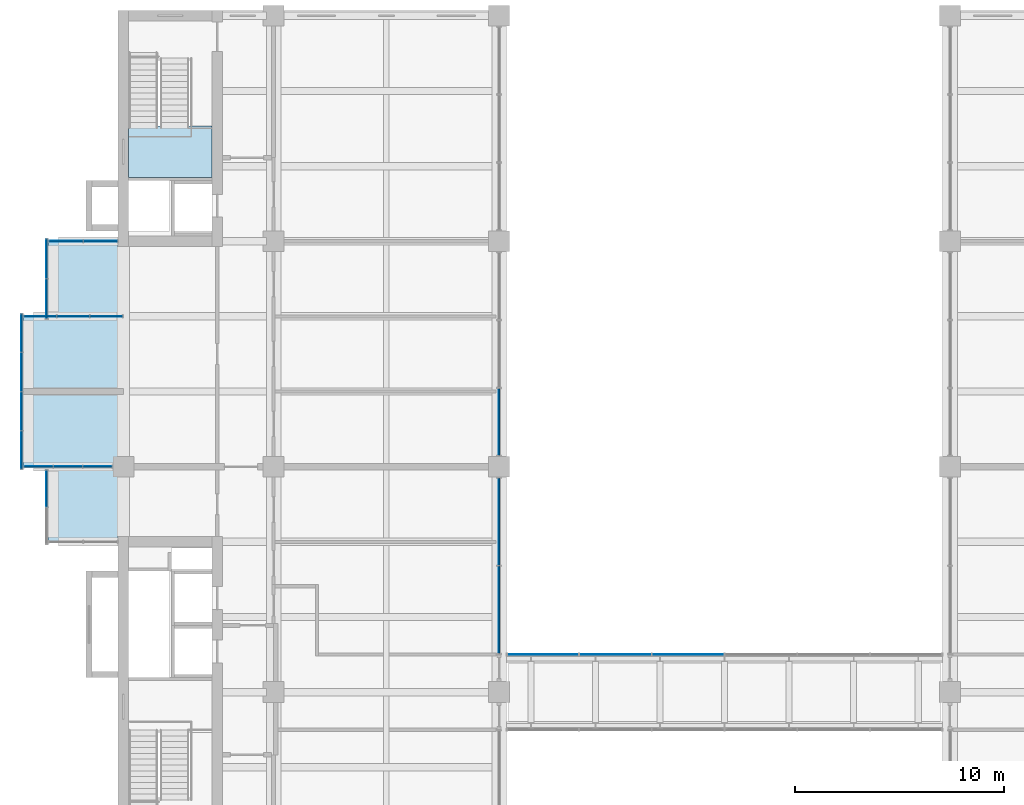
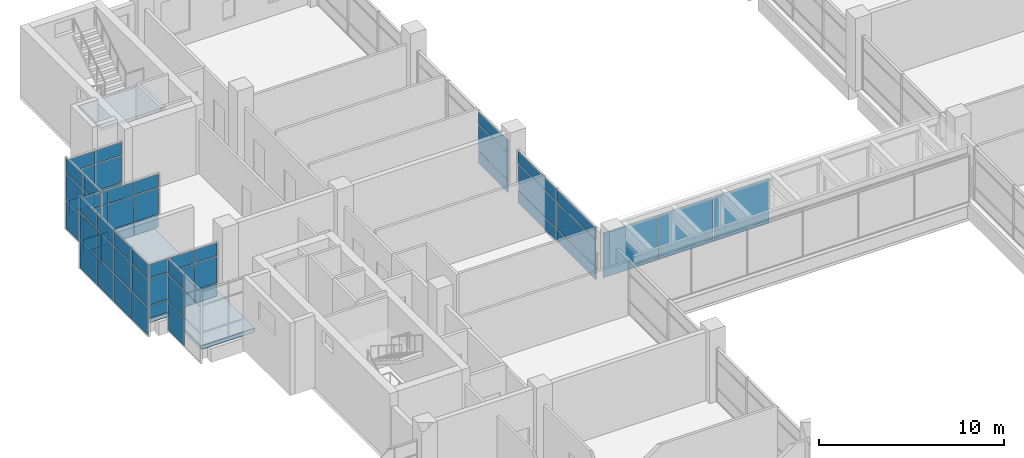
# One storey, part 22 of 35: 57 plates, 2 slabs, 10 elements without a shape of their own.
"""IFC4 building model written with IfcOpenShell, lengths in metres."""

from ifc_helpers import new_model, si_unit, direction, frame, origin, origin_2d, place, context, subcontext, project, spatial, polyline, rectangle, outline, extrude, material, layer, layer_set, type_object, element, aggregate, save


model = new_model("IFC4")

# Units and contexts
model_context = context("Model", 3, precision=1e-05, world=origin(), true_north=direction((0.0, 1.0)))
body_context = subcontext(model_context, "Body", "Model", "MODEL_VIEW")
ifc_project = project(units=[si_unit("LENGTHUNIT", "METRE"), si_unit("AREAUNIT", "SQUARE_METRE"), si_unit("VOLUMEUNIT", "CUBIC_METRE"), si_unit("PLANEANGLEUNIT", "RADIAN"), si_unit("MASSUNIT", "GRAM", prefix="KILO")], contexts=[model_context])

# Site, building, storey
site_placement = place(None, origin())
site = spatial("IfcSite", under=ifc_project, at=site_placement, CompositionType="ELEMENT")
building_placement = place(site_placement, origin())
building = spatial("IfcBuilding", under=site, at=building_placement, Name="Basin Gate Institute", CompositionType="ELEMENT")
storey_placement = place(building_placement, frame((0.0, 0.0, 31.800048828125)))
storey = spatial("IfcBuildingStorey", under=building, at=storey_placement, Name="L06", CompositionType="ELEMENT", Elevation=31.800048828125)

# Curtain wall, plates
ifc_material_1 = material(Name="Aluminium and glass curtain wall", Category="aluminium")
ifc_layer_1 = layer(ifc_material_1, 0.14990234375)
ifc_layer_set_1 = layer_set([ifc_layer_1], Name="Atrium curtain wall CW81")
curtain_wall_type_1 = type_object("IfcCurtainWallType", Name="Atrium curtain wall CW81", PredefinedType="NOTDEFINED", material=ifc_layer_set_1)
curtain_wall_1_placement = place(storey_placement, origin())
curtain_wall_1 = element("IfcCurtainWall", 1, at=curtain_wall_1_placement, inside=storey, type_object=curtain_wall_type_1, material=ifc_layer_set_1, Name="Bridge glazed enclosure L06 2", PredefinedType="NOTDEFINED")
ifc_material_2 = material(Name="Toughened glass", Category="glass")
ifc_layer_2 = layer(ifc_material_2, 0.028076171875)
ifc_layer_set_2 = layer_set([ifc_layer_2], Name="Atrium glass panel PN81")
plate_type_1 = type_object("IfcPlateType", Name="Atrium glass panel PN81", PredefinedType="CURTAIN_PANEL", material=ifc_layer_set_2)
plate_1_placement = place(storey_placement, frame((81.306640625, 69.300048828125, 0.06005859375), z_axis=(0.0, 0.0, 1.0), x_axis=(1.0, 0.0, 0.0)))
plate_1 = element("IfcPlate", 2, at=plate_1_placement, type_object=plate_type_1, material=ifc_layer_set_2, Name="CW81 panel 1.1", PredefinedType="CURTAIN_PANEL", context=body_context, shape_type="SweptSolid", body=[
    extrude(rectangle(XDim=3.393310546875, YDim=0.028076171875, at=origin_2d()), origin(), (0.0, 0.0, 1.0), 2.97998046875),
])
plate_2_placement = place(storey_placement, frame((84.77490234375, 69.300048828125, 0.06005859375), z_axis=(0.0, 0.0, 1.0), x_axis=(1.0, 0.0, 0.0)))
plate_2 = element("IfcPlate", 3, at=plate_2_placement, type_object=plate_type_1, material=ifc_layer_set_2, Name="CW81 panel 2.1", PredefinedType="CURTAIN_PANEL", context=body_context, shape_type="SweptSolid", body=[
    extrude(rectangle(XDim=3.42333984375, YDim=0.028076171875, at=origin_2d()), origin(), (0.0, 0.0, 1.0), 2.97998046875),
])
plate_3_placement = place(storey_placement, frame((88.25830078125, 69.300048828125, 0.06005859375), z_axis=(0.0, 0.0, 1.0), x_axis=(1.0, 0.0, 0.0)))
plate_3 = element("IfcPlate", 4, at=plate_3_placement, type_object=plate_type_1, material=ifc_layer_set_2, Name="CW81 panel 3.1", PredefinedType="CURTAIN_PANEL", context=body_context, shape_type="SweptSolid", body=[
    extrude(rectangle(XDim=3.42333984375, YDim=0.028076171875, at=origin_2d()), origin(), (0.0, 0.0, 1.0), 2.97998046875),
])
aggregate(curtain_wall_1, [plate_1, plate_2, plate_3])

# Slab
ifc_material_3 = material(Name="Concrete 40 MPa", Category="concrete")
ifc_layer_3 = layer(ifc_material_3, 0.25)
ifc_layer_set_3 = layer_set([ifc_layer_3], Name="Concrete 40 MPa")
slab_type_1 = type_object("IfcSlabType", Name="Slab SL4 R120", PredefinedType="FLOOR", material=ifc_layer_set_3)
slab_1_placement = place(storey_placement, frame((0.0, 0.0, -0.25)))
element("IfcSlab", 5, at=slab_1_placement, inside=storey, type_object=slab_type_1, material=ifc_layer_set_3, Name="SLAB/L06/WK21", PredefinedType="FLOOR", context=body_context, shape_type="SweptSolid", body=[
    extrude(outline(polyline([(57.60009765625, 74.699951171875), (57.60009765625, 78.300048828125), (56.39990234375, 78.300048828125), (56.39990234375, 85.5), (57.60009765625, 85.5), (57.60009765625, 89.10009765625), (60.949951171875, 89.10009765625), (60.949951171875, 74.699951171875), (57.60009765625, 74.699951171875)])), origin(), (0.0, 0.0, 1.0), 0.25),
])

# Curtain wall, plates
ifc_material_4 = material(Name="Aluminium-framed glazing", Category="aluminium")
ifc_layer_4 = layer(ifc_material_4, 0.199951171875)
ifc_layer_set_4 = layer_set([ifc_layer_4], Name="Atrium curtain wall CW2")
curtain_wall_type_2 = type_object("IfcCurtainWallType", Name="Atrium curtain wall CW2", PredefinedType="NOTDEFINED", material=ifc_layer_set_4)
curtain_wall_2_placement = place(storey_placement, origin())
curtain_wall_2 = element("IfcCurtainWall", 6, at=curtain_wall_2_placement, inside=storey, type_object=curtain_wall_type_2, material=ifc_layer_set_4, Name="Atrium curtain wall W wing atrium bay 4 L06 part 1", PredefinedType="NOTDEFINED")
ifc_material_5 = material(Name="Aluminium insulated spandrel panel", Category="aluminium")
ifc_layer_5 = layer(ifc_material_5, 0.050048828125)
ifc_layer_set_5 = layer_set([ifc_layer_5], Name="Spandrel panel PN2")
plate_type_2 = type_object("IfcPlateType", Name="Spandrel panel PN2", PredefinedType="CURTAIN_PANEL", material=ifc_layer_set_5)
plate_4_placement = place(storey_placement, frame((79.199951171875, 71.43994140625, 0.059814453125), z_axis=(0.0, 0.0, 1.0), x_axis=(0.0, 1.0, 0.0)))
plate_4 = element("IfcPlate", 7, at=plate_4_placement, type_object=plate_type_2, material=ifc_layer_set_5, Name="CW2 spandrel panel 1.1", PredefinedType="CURTAIN_PANEL", context=body_context, shape_type="SweptSolid", body=[
    extrude(rectangle(XDim=4.159912109375, YDim=0.050048828125, at=origin_2d()), origin(), (0.0, 0.0, 1.0), 0.81005859375),
])
plate_5_placement = place(storey_placement, frame((79.199951171875, 71.43994140625, 2.72998046875), z_axis=(0.0, 0.0, 1.0), x_axis=(0.0, 1.0, 0.0)))
plate_5 = element("IfcPlate", 8, at=plate_5_placement, type_object=plate_type_2, material=ifc_layer_set_5, Name="CW2 spandrel panel 1.3", PredefinedType="CURTAIN_PANEL", context=body_context, shape_type="SweptSolid", body=[
    extrude(rectangle(XDim=4.159912109375, YDim=0.050048828125, at=origin_2d()), origin(), (0.0, 0.0, 1.0), 0.760009765625),
])
plate_6_placement = place(storey_placement, frame((79.199951171875, 75.659912109375, 0.059814453125), z_axis=(0.0, 0.0, 1.0), x_axis=(0.0, 1.0, 0.0)))
plate_6 = element("IfcPlate", 9, at=plate_6_placement, type_object=plate_type_2, material=ifc_layer_set_5, Name="CW2 spandrel panel 2.1", PredefinedType="CURTAIN_PANEL", context=body_context, shape_type="SweptSolid", body=[
    extrude(rectangle(XDim=4.159912109375, YDim=0.050048828125, at=origin_2d()), origin(), (0.0, 0.0, 1.0), 0.81005859375),
])
plate_7_placement = place(storey_placement, frame((79.199951171875, 75.659912109375, 2.72998046875), z_axis=(0.0, 0.0, 1.0), x_axis=(0.0, 1.0, 0.0)))
plate_7 = element("IfcPlate", 10, at=plate_7_placement, type_object=plate_type_2, material=ifc_layer_set_5, Name="CW2 spandrel panel 2.3", PredefinedType="CURTAIN_PANEL", context=body_context, shape_type="SweptSolid", body=[
    extrude(rectangle(XDim=4.159912109375, YDim=0.050048828125, at=origin_2d()), origin(), (0.0, 0.0, 1.0), 0.760009765625),
])

curtain_wall_3_placement = place(storey_placement, origin())
curtain_wall_3 = element("IfcCurtainWall", 11, at=curtain_wall_3_placement, inside=storey, type_object=curtain_wall_type_2, material=ifc_layer_set_4, Name="Atrium curtain wall W wing atrium bay 5 L06", PredefinedType="NOTDEFINED")
plate_8_placement = place(storey_placement, frame((79.199951171875, 80.4482421875, 0.059814453125), z_axis=(0.0, 0.0, 1.0), x_axis=(0.0, 1.0, 0.0)))
plate_8 = element("IfcPlate", 12, at=plate_8_placement, type_object=plate_type_2, material=ifc_layer_set_5, Name="CW2 spandrel panel 1.1", PredefinedType="CURTAIN_PANEL", context=body_context, shape_type="SweptSolid", body=[
    extrude(rectangle(XDim=3.1767578125, YDim=0.050048828125, at=origin_2d()), origin(), (0.0, 0.0, 1.0), 0.81005859375),
])
plate_9_placement = place(storey_placement, frame((79.199951171875, 80.4482421875, 2.72998046875), z_axis=(0.0, 0.0, 1.0), x_axis=(0.0, 1.0, 0.0)))
plate_9 = element("IfcPlate", 13, at=plate_9_placement, type_object=plate_type_2, material=ifc_layer_set_5, Name="CW2 spandrel panel 1.3", PredefinedType="CURTAIN_PANEL", context=body_context, shape_type="SweptSolid", body=[
    extrude(rectangle(XDim=3.1767578125, YDim=0.050048828125, at=origin_2d()), origin(), (0.0, 0.0, 1.0), 0.760009765625),
])

ifc_material_6 = material(Name="Aluminium-framed glazing", Category="aluminium")
ifc_layer_6 = layer(ifc_material_6, 0.14990234375)
ifc_layer_set_6 = layer_set([ifc_layer_6], Name="Capsule front curtain wall CW1")
curtain_wall_type_3 = type_object("IfcCurtainWallType", Name="Capsule front curtain wall CW1", PredefinedType="NOTDEFINED", material=ifc_layer_set_6)
curtain_wall_4_placement = place(storey_placement, origin())
curtain_wall_4 = element("IfcCurtainWall", 14, at=curtain_wall_4_placement, inside=storey, type_object=curtain_wall_type_3, material=ifc_layer_set_6, Name="Capsule front curtain wall W wing capsule end L06 line 13", PredefinedType="NOTDEFINED")
plate_10_placement = place(storey_placement, frame((57.129150390625, 78.300048828125, 0.059814453125), z_axis=(0.0, 0.0, 1.0), x_axis=(1.0, 0.0, 0.0)))
plate_10 = element("IfcPlate", 15, at=plate_10_placement, type_object=plate_type_2, material=ifc_layer_set_5, Name="CW1 spandrel panel 1.1", PredefinedType="CURTAIN_PANEL", context=body_context, shape_type="SweptSolid", body=[
    extrude(rectangle(XDim=1.3583984375, YDim=0.050048828125, at=origin_2d()), origin(), (0.0, 0.0, 1.0), 0.81005859375),
])
plate_11_placement = place(storey_placement, frame((58.550048828125, 78.300048828125, 0.059814453125), z_axis=(0.0, 0.0, 1.0), x_axis=(1.0, 0.0, 0.0)))
plate_11 = element("IfcPlate", 16, at=plate_11_placement, type_object=plate_type_2, material=ifc_layer_set_5, Name="CW1 spandrel panel 2.1", PredefinedType="CURTAIN_PANEL", context=body_context, shape_type="SweptSolid", body=[
    extrude(rectangle(XDim=1.38330078125, YDim=0.050048828125, at=origin_2d()), origin(), (0.0, 0.0, 1.0), 0.81005859375),
])
plate_12_placement = place(storey_placement, frame((59.970947265625, 78.300048828125, 0.059814453125), z_axis=(0.0, 0.0, 1.0), x_axis=(1.0, 0.0, 0.0)))
plate_12 = element("IfcPlate", 17, at=plate_12_placement, type_object=plate_type_2, material=ifc_layer_set_5, Name="CW1 spandrel panel 3.1", PredefinedType="CURTAIN_PANEL", context=body_context, shape_type="SweptSolid", body=[
    extrude(rectangle(XDim=1.3583984375, YDim=0.050048828125, at=origin_2d()), origin(), (0.0, 0.0, 1.0), 0.81005859375),
])

curtain_wall_5_placement = place(storey_placement, origin())
curtain_wall_5 = element("IfcCurtainWall", 18, at=curtain_wall_5_placement, inside=storey, type_object=curtain_wall_type_3, material=ifc_layer_set_6, Name="Capsule front curtain wall W wing capsule end L06 line 15", PredefinedType="NOTDEFINED")
plate_13_placement = place(storey_placement, frame((57.21240234375, 85.5, 0.059814453125), z_axis=(0.0, 0.0, 1.0), x_axis=(1.0, 0.0, 0.0)))
plate_13 = element("IfcPlate", 19, at=plate_13_placement, type_object=plate_type_2, material=ifc_layer_set_5, Name="CW1 spandrel panel 1.1", PredefinedType="CURTAIN_PANEL", context=body_context, shape_type="SweptSolid", body=[
    extrude(rectangle(XDim=1.52490234375, YDim=0.050048828125, at=origin_2d()), origin(), (0.0, 0.0, 1.0), 0.81005859375),
])
plate_14_placement = place(storey_placement, frame((58.800048828125, 85.5, 0.059814453125), z_axis=(0.0, 0.0, 1.0), x_axis=(1.0, 0.0, 0.0)))
plate_14 = element("IfcPlate", 20, at=plate_14_placement, type_object=plate_type_2, material=ifc_layer_set_5, Name="CW1 spandrel panel 2.1", PredefinedType="CURTAIN_PANEL", context=body_context, shape_type="SweptSolid", body=[
    extrude(rectangle(XDim=1.550048828125, YDim=0.050048828125, at=origin_2d()), origin(), (0.0, 0.0, 1.0), 0.81005859375),
])
plate_15_placement = place(storey_placement, frame((60.387451171875, 85.5, 0.059814453125), z_axis=(0.0, 0.0, 1.0), x_axis=(1.0, 0.0, 0.0)))
plate_15 = element("IfcPlate", 21, at=plate_15_placement, type_object=plate_type_2, material=ifc_layer_set_5, Name="CW1 spandrel panel 3.1", PredefinedType="CURTAIN_PANEL", context=body_context, shape_type="SweptSolid", body=[
    extrude(rectangle(XDim=1.52490234375, YDim=0.050048828125, at=origin_2d()), origin(), (0.0, 0.0, 1.0), 0.81005859375),
])

curtain_wall_6_placement = place(storey_placement, origin())
curtain_wall_6 = element("IfcCurtainWall", 22, at=curtain_wall_6_placement, inside=storey, type_object=curtain_wall_type_3, material=ifc_layer_set_6, Name="Capsule front curtain wall W wing capsule end L06 line 16", PredefinedType="NOTDEFINED")
plate_16_placement = place(storey_placement, frame((58.449951171875, 89.10009765625, 0.059814453125), z_axis=(0.0, 0.0, 1.0), x_axis=(1.0, 0.0, 0.0)))
plate_16 = element("IfcPlate", 23, at=plate_16_placement, type_object=plate_type_2, material=ifc_layer_set_5, Name="CW1 spandrel panel 1.1", PredefinedType="CURTAIN_PANEL", context=body_context, shape_type="SweptSolid", body=[
    extrude(rectangle(XDim=1.60009765625, YDim=0.050048828125, at=origin_2d()), origin(), (0.0, 0.0, 1.0), 0.81005859375),
])
plate_17_placement = place(storey_placement, frame((60.10009765625, 89.10009765625, 0.059814453125), z_axis=(0.0, 0.0, 1.0), x_axis=(1.0, 0.0, 0.0)))
plate_17 = element("IfcPlate", 24, at=plate_17_placement, type_object=plate_type_2, material=ifc_layer_set_5, Name="CW1 spandrel panel 2.1", PredefinedType="CURTAIN_PANEL", context=body_context, shape_type="SweptSolid", body=[
    extrude(rectangle(XDim=1.60009765625, YDim=0.050048828125, at=origin_2d()), origin(), (0.0, 0.0, 1.0), 0.81005859375),
])

# Curtain wall, plate
curtain_wall_7_placement = place(storey_placement, origin())
curtain_wall_7 = element("IfcCurtainWall", 25, at=curtain_wall_7_placement, inside=storey, type_object=curtain_wall_type_3, material=ifc_layer_set_6, Name="Capsule front curtain wall W wing capsule 2 L06 front 1", PredefinedType="NOTDEFINED")
plate_18_placement = place(storey_placement, frame((57.52490234375, 77.237548828125, -0.990234375), z_axis=(0.0, 0.0, 1.0), x_axis=(0.0, 1.0, 0.0)))
plate_18 = element("IfcPlate", 26, at=plate_18_placement, type_object=plate_type_2, material=ifc_layer_set_5, Name="CW1 spandrel panel 2.1", PredefinedType="CURTAIN_PANEL", context=body_context, shape_type="SweptSolid", body=[
    extrude(rectangle(XDim=1.72509765625, YDim=0.050048828125, at=origin_2d()), origin(), (0.0, 0.0, 1.0), 1.860107421875),
])

# Curtain wall, plates
curtain_wall_8_placement = place(storey_placement, origin())
curtain_wall_8 = element("IfcCurtainWall", 27, at=curtain_wall_8_placement, inside=storey, type_object=curtain_wall_type_3, material=ifc_layer_set_6, Name="Capsule front curtain wall W wing capsule 2 L06 front 2", PredefinedType="NOTDEFINED")
plate_19_placement = place(storey_placement, frame((56.324951171875, 79.10009765625, -0.990234375), z_axis=(0.0, 0.0, 1.0), x_axis=(0.0, 1.0, 0.0)))
plate_19 = element("IfcPlate", 28, at=plate_19_placement, type_object=plate_type_2, material=ifc_layer_set_5, Name="CW1 spandrel panel 1.1", PredefinedType="CURTAIN_PANEL", context=body_context, shape_type="SweptSolid", body=[
    extrude(rectangle(XDim=1.800048828125, YDim=0.050048828125, at=origin_2d()), origin(), (0.0, 0.0, 1.0), 1.860107421875),
])
plate_20_placement = place(storey_placement, frame((56.324951171875, 80.96240234375, -0.990234375), z_axis=(0.0, 0.0, 1.0), x_axis=(0.0, 1.0, 0.0)))
plate_20 = element("IfcPlate", 29, at=plate_20_placement, type_object=plate_type_2, material=ifc_layer_set_5, Name="CW1 spandrel panel 2.1", PredefinedType="CURTAIN_PANEL", context=body_context, shape_type="SweptSolid", body=[
    extrude(rectangle(XDim=1.824951171875, YDim=0.050048828125, at=origin_2d()), origin(), (0.0, 0.0, 1.0), 1.860107421875),
])
plate_21_placement = place(storey_placement, frame((56.324951171875, 82.83740234375, -0.990234375), z_axis=(0.0, 0.0, 1.0), x_axis=(0.0, 1.0, 0.0)))
plate_21 = element("IfcPlate", 30, at=plate_21_placement, type_object=plate_type_2, material=ifc_layer_set_5, Name="CW1 spandrel panel 3.1", PredefinedType="CURTAIN_PANEL", context=body_context, shape_type="SweptSolid", body=[
    extrude(rectangle(XDim=1.824951171875, YDim=0.050048828125, at=origin_2d()), origin(), (0.0, 0.0, 1.0), 1.860107421875),
])
plate_22_placement = place(storey_placement, frame((56.324951171875, 84.699951171875, -0.990234375), z_axis=(0.0, 0.0, 1.0), x_axis=(0.0, 1.0, 0.0)))
plate_22 = element("IfcPlate", 31, at=plate_22_placement, type_object=plate_type_2, material=ifc_layer_set_5, Name="CW1 spandrel panel 4.1", PredefinedType="CURTAIN_PANEL", context=body_context, shape_type="SweptSolid", body=[
    extrude(rectangle(XDim=1.800048828125, YDim=0.050048828125, at=origin_2d()), origin(), (0.0, 0.0, 1.0), 1.860107421875),
])

curtain_wall_9_placement = place(storey_placement, origin())
curtain_wall_9 = element("IfcCurtainWall", 32, at=curtain_wall_9_placement, inside=storey, type_object=curtain_wall_type_3, material=ifc_layer_set_6, Name="Capsule front curtain wall W wing capsule 2 L06 front 4", PredefinedType="NOTDEFINED")
plate_23_placement = place(storey_placement, frame((57.52490234375, 86.33740234375, -0.990234375), z_axis=(0.0, 0.0, 1.0), x_axis=(0.0, 1.0, 0.0)))
plate_23 = element("IfcPlate", 33, at=plate_23_placement, type_object=plate_type_2, material=ifc_layer_set_5, Name="CW1 spandrel panel 1.1", PredefinedType="CURTAIN_PANEL", context=body_context, shape_type="SweptSolid", body=[
    extrude(rectangle(XDim=1.875, YDim=0.050048828125, at=origin_2d()), origin(), (0.0, 0.0, 1.0), 1.860107421875),
])
plate_24_placement = place(storey_placement, frame((57.52490234375, 88.262451171875, -0.990234375), z_axis=(0.0, 0.0, 1.0), x_axis=(0.0, 1.0, 0.0)))
plate_24 = element("IfcPlate", 34, at=plate_24_placement, type_object=plate_type_2, material=ifc_layer_set_5, Name="CW1 spandrel panel 2.1", PredefinedType="CURTAIN_PANEL", context=body_context, shape_type="SweptSolid", body=[
    extrude(rectangle(XDim=1.875, YDim=0.050048828125, at=origin_2d()), origin(), (0.0, 0.0, 1.0), 1.860107421875),
])

# Stair, slab
ifc_material_7 = material(Name="Concrete 40 MPa", Category="concrete")
stair_type = type_object("IfcStairType", Name="Stair ST", PredefinedType="HALF_TURN_STAIR", material=ifc_material_7)
stair_placement = place(storey_placement, origin())
stair = element("IfcStair", 35, at=stair_placement, inside=storey, type_object=stair_type, material=ifc_material_7, Name="Special safe stair ST-WN L06", PredefinedType="HALF_TURN_STAIR")
ifc_material_8 = material(Name="Concrete 40 MPa", Category="concrete")
ifc_layer_7 = layer(ifc_material_8, 0.199951171875)
ifc_layer_set_7 = layer_set([ifc_layer_7], Name="Concrete 40 MPa")
slab_type_2 = type_object("IfcSlabType", Name="Stair landing LN REI 120", PredefinedType="LANDING", material=ifc_layer_set_7)
slab_2_placement = place(storey_placement, frame((0.0, 0.0, 2.288818359375)))
slab_2 = element("IfcSlab", 36, at=slab_2_placement, type_object=slab_type_2, material=ifc_layer_set_7, Name="Stair landing ST-WN-L1 L06", PredefinedType="LANDING", context=body_context, shape_type="SweptSolid", body=[
    extrude(outline(polyline([(61.449951171875, 92.14990234375), (65.449951171875, 92.14990234375), (65.449951171875, 94.6298828125), (61.449951171875, 94.6298828125), (61.449951171875, 92.14990234375)])), origin(), (0.0, 0.0, 1.0), 0.199951171875),
])
aggregate(stair, [slab_2])

# Plate
ifc_material_9 = material(Name="Double glazed unit")
ifc_layer_8 = layer(ifc_material_9, 0.028076171875)
ifc_layer_set_8 = layer_set([ifc_layer_8], Name="Vision panel PN1")
plate_type_3 = type_object("IfcPlateType", Name="Vision panel PN1", PredefinedType="CURTAIN_PANEL", material=ifc_layer_set_8)
plate_25_placement = place(storey_placement, frame((79.199951171875, 71.43994140625, 0.93017578125), z_axis=(0.0, 0.0, 1.0), x_axis=(0.0, 1.0, 0.0)))
plate_25 = element("IfcPlate", 37, at=plate_25_placement, type_object=plate_type_3, material=ifc_layer_set_8, Name="CW2 vision panel 1.2", PredefinedType="CURTAIN_PANEL", context=body_context, shape_type="SweptSolid", body=[
    extrude(rectangle(XDim=4.159912109375, YDim=0.028076171875, at=origin_2d()), origin(), (0.0, 0.0, 1.0), 1.739990234375),
])

plate_26_placement = place(storey_placement, frame((79.199951171875, 75.659912109375, 0.93017578125), z_axis=(0.0, 0.0, 1.0), x_axis=(0.0, 1.0, 0.0)))
plate_26 = element("IfcPlate", 38, at=plate_26_placement, type_object=plate_type_3, material=ifc_layer_set_8, Name="CW2 vision panel 2.2", PredefinedType="CURTAIN_PANEL", context=body_context, shape_type="SweptSolid", body=[
    extrude(rectangle(XDim=4.159912109375, YDim=0.028076171875, at=origin_2d()), origin(), (0.0, 0.0, 1.0), 1.739990234375),
])

aggregate(curtain_wall_2, [plate_4, plate_25, plate_5, plate_6, plate_26, plate_7])

plate_27_placement = place(storey_placement, frame((79.199951171875, 80.4482421875, 0.93017578125), z_axis=(0.0, 0.0, 1.0), x_axis=(0.0, 1.0, 0.0)))
plate_27 = element("IfcPlate", 39, at=plate_27_placement, type_object=plate_type_3, material=ifc_layer_set_8, Name="CW2 vision panel 1.2", PredefinedType="CURTAIN_PANEL", context=body_context, shape_type="SweptSolid", body=[
    extrude(rectangle(XDim=3.1767578125, YDim=0.028076171875, at=origin_2d()), origin(), (0.0, 0.0, 1.0), 1.739990234375),
])

aggregate(curtain_wall_3, [plate_8, plate_27, plate_9])

plate_28_placement = place(storey_placement, frame((57.129150390625, 78.300048828125, 0.93017578125), z_axis=(0.0, 0.0, 1.0), x_axis=(1.0, 0.0, 0.0)))
plate_28 = element("IfcPlate", 40, at=plate_28_placement, type_object=plate_type_3, material=ifc_layer_set_8, Name="CW1 vision panel 1.2", PredefinedType="CURTAIN_PANEL", context=body_context, shape_type="SweptSolid", body=[
    extrude(rectangle(XDim=1.3583984375, YDim=0.028076171875, at=origin_2d()), origin(), (0.0, 0.0, 1.0), 1.739990234375),
])

plate_29_placement = place(storey_placement, frame((57.129150390625, 78.300048828125, 2.72998046875), z_axis=(0.0, 0.0, 1.0), x_axis=(1.0, 0.0, 0.0)))
plate_29 = element("IfcPlate", 41, at=plate_29_placement, type_object=plate_type_3, material=ifc_layer_set_8, Name="CW1 vision panel 1.3", PredefinedType="CURTAIN_PANEL", context=body_context, shape_type="SweptSolid", body=[
    extrude(rectangle(XDim=1.3583984375, YDim=0.028076171875, at=origin_2d()), origin(), (0.0, 0.0, 1.0), 0.860107421875),
])

plate_30_placement = place(storey_placement, frame((58.550048828125, 78.300048828125, 0.93017578125), z_axis=(0.0, 0.0, 1.0), x_axis=(1.0, 0.0, 0.0)))
plate_30 = element("IfcPlate", 42, at=plate_30_placement, type_object=plate_type_3, material=ifc_layer_set_8, Name="CW1 vision panel 2.2", PredefinedType="CURTAIN_PANEL", context=body_context, shape_type="SweptSolid", body=[
    extrude(rectangle(XDim=1.38330078125, YDim=0.028076171875, at=origin_2d()), origin(), (0.0, 0.0, 1.0), 1.739990234375),
])

plate_31_placement = place(storey_placement, frame((58.550048828125, 78.300048828125, 2.72998046875), z_axis=(0.0, 0.0, 1.0), x_axis=(1.0, 0.0, 0.0)))
plate_31 = element("IfcPlate", 43, at=plate_31_placement, type_object=plate_type_3, material=ifc_layer_set_8, Name="CW1 vision panel 2.3", PredefinedType="CURTAIN_PANEL", context=body_context, shape_type="SweptSolid", body=[
    extrude(rectangle(XDim=1.38330078125, YDim=0.028076171875, at=origin_2d()), origin(), (0.0, 0.0, 1.0), 0.860107421875),
])

plate_32_placement = place(storey_placement, frame((59.970947265625, 78.300048828125, 0.93017578125), z_axis=(0.0, 0.0, 1.0), x_axis=(1.0, 0.0, 0.0)))
plate_32 = element("IfcPlate", 44, at=plate_32_placement, type_object=plate_type_3, material=ifc_layer_set_8, Name="CW1 vision panel 3.2", PredefinedType="CURTAIN_PANEL", context=body_context, shape_type="SweptSolid", body=[
    extrude(rectangle(XDim=1.3583984375, YDim=0.028076171875, at=origin_2d()), origin(), (0.0, 0.0, 1.0), 1.739990234375),
])

plate_33_placement = place(storey_placement, frame((59.970947265625, 78.300048828125, 2.72998046875), z_axis=(0.0, 0.0, 1.0), x_axis=(1.0, 0.0, 0.0)))
plate_33 = element("IfcPlate", 45, at=plate_33_placement, type_object=plate_type_3, material=ifc_layer_set_8, Name="CW1 vision panel 3.3", PredefinedType="CURTAIN_PANEL", context=body_context, shape_type="SweptSolid", body=[
    extrude(rectangle(XDim=1.3583984375, YDim=0.028076171875, at=origin_2d()), origin(), (0.0, 0.0, 1.0), 0.860107421875),
])

aggregate(curtain_wall_4, [plate_10, plate_28, plate_29, plate_11, plate_30, plate_31, plate_12, plate_32, plate_33])

plate_34_placement = place(storey_placement, frame((57.21240234375, 85.5, 0.93017578125), z_axis=(0.0, 0.0, 1.0), x_axis=(1.0, 0.0, 0.0)))
plate_34 = element("IfcPlate", 46, at=plate_34_placement, type_object=plate_type_3, material=ifc_layer_set_8, Name="CW1 vision panel 1.2", PredefinedType="CURTAIN_PANEL", context=body_context, shape_type="SweptSolid", body=[
    extrude(rectangle(XDim=1.52490234375, YDim=0.028076171875, at=origin_2d()), origin(), (0.0, 0.0, 1.0), 1.739990234375),
])

plate_35_placement = place(storey_placement, frame((57.21240234375, 85.5, 2.72998046875), z_axis=(0.0, 0.0, 1.0), x_axis=(1.0, 0.0, 0.0)))
plate_35 = element("IfcPlate", 47, at=plate_35_placement, type_object=plate_type_3, material=ifc_layer_set_8, Name="CW1 vision panel 1.3", PredefinedType="CURTAIN_PANEL", context=body_context, shape_type="SweptSolid", body=[
    extrude(rectangle(XDim=1.52490234375, YDim=0.028076171875, at=origin_2d()), origin(), (0.0, 0.0, 1.0), 0.860107421875),
])

plate_36_placement = place(storey_placement, frame((58.800048828125, 85.5, 0.93017578125), z_axis=(0.0, 0.0, 1.0), x_axis=(1.0, 0.0, 0.0)))
plate_36 = element("IfcPlate", 48, at=plate_36_placement, type_object=plate_type_3, material=ifc_layer_set_8, Name="CW1 vision panel 2.2", PredefinedType="CURTAIN_PANEL", context=body_context, shape_type="SweptSolid", body=[
    extrude(rectangle(XDim=1.550048828125, YDim=0.028076171875, at=origin_2d()), origin(), (0.0, 0.0, 1.0), 1.739990234375),
])

plate_37_placement = place(storey_placement, frame((58.800048828125, 85.5, 2.72998046875), z_axis=(0.0, 0.0, 1.0), x_axis=(1.0, 0.0, 0.0)))
plate_37 = element("IfcPlate", 49, at=plate_37_placement, type_object=plate_type_3, material=ifc_layer_set_8, Name="CW1 vision panel 2.3", PredefinedType="CURTAIN_PANEL", context=body_context, shape_type="SweptSolid", body=[
    extrude(rectangle(XDim=1.550048828125, YDim=0.028076171875, at=origin_2d()), origin(), (0.0, 0.0, 1.0), 0.860107421875),
])

plate_38_placement = place(storey_placement, frame((60.387451171875, 85.5, 0.93017578125), z_axis=(0.0, 0.0, 1.0), x_axis=(1.0, 0.0, 0.0)))
plate_38 = element("IfcPlate", 50, at=plate_38_placement, type_object=plate_type_3, material=ifc_layer_set_8, Name="CW1 vision panel 3.2", PredefinedType="CURTAIN_PANEL", context=body_context, shape_type="SweptSolid", body=[
    extrude(rectangle(XDim=1.52490234375, YDim=0.028076171875, at=origin_2d()), origin(), (0.0, 0.0, 1.0), 1.739990234375),
])

plate_39_placement = place(storey_placement, frame((60.387451171875, 85.5, 2.72998046875), z_axis=(0.0, 0.0, 1.0), x_axis=(1.0, 0.0, 0.0)))
plate_39 = element("IfcPlate", 51, at=plate_39_placement, type_object=plate_type_3, material=ifc_layer_set_8, Name="CW1 vision panel 3.3", PredefinedType="CURTAIN_PANEL", context=body_context, shape_type="SweptSolid", body=[
    extrude(rectangle(XDim=1.52490234375, YDim=0.028076171875, at=origin_2d()), origin(), (0.0, 0.0, 1.0), 0.860107421875),
])

aggregate(curtain_wall_5, [plate_13, plate_34, plate_35, plate_14, plate_36, plate_37, plate_15, plate_38, plate_39])

plate_40_placement = place(storey_placement, frame((58.449951171875, 89.10009765625, 0.93017578125), z_axis=(0.0, 0.0, 1.0), x_axis=(1.0, 0.0, 0.0)))
plate_40 = element("IfcPlate", 52, at=plate_40_placement, type_object=plate_type_3, material=ifc_layer_set_8, Name="CW1 vision panel 1.2", PredefinedType="CURTAIN_PANEL", context=body_context, shape_type="SweptSolid", body=[
    extrude(rectangle(XDim=1.60009765625, YDim=0.028076171875, at=origin_2d()), origin(), (0.0, 0.0, 1.0), 1.739990234375),
])

plate_41_placement = place(storey_placement, frame((58.449951171875, 89.10009765625, 2.72998046875), z_axis=(0.0, 0.0, 1.0), x_axis=(1.0, 0.0, 0.0)))
plate_41 = element("IfcPlate", 53, at=plate_41_placement, type_object=plate_type_3, material=ifc_layer_set_8, Name="CW1 vision panel 1.3", PredefinedType="CURTAIN_PANEL", context=body_context, shape_type="SweptSolid", body=[
    extrude(rectangle(XDim=1.60009765625, YDim=0.028076171875, at=origin_2d()), origin(), (0.0, 0.0, 1.0), 0.860107421875),
])

plate_42_placement = place(storey_placement, frame((60.10009765625, 89.10009765625, 0.93017578125), z_axis=(0.0, 0.0, 1.0), x_axis=(1.0, 0.0, 0.0)))
plate_42 = element("IfcPlate", 54, at=plate_42_placement, type_object=plate_type_3, material=ifc_layer_set_8, Name="CW1 vision panel 2.2", PredefinedType="CURTAIN_PANEL", context=body_context, shape_type="SweptSolid", body=[
    extrude(rectangle(XDim=1.60009765625, YDim=0.028076171875, at=origin_2d()), origin(), (0.0, 0.0, 1.0), 1.739990234375),
])

plate_43_placement = place(storey_placement, frame((60.10009765625, 89.10009765625, 2.72998046875), z_axis=(0.0, 0.0, 1.0), x_axis=(1.0, 0.0, 0.0)))
plate_43 = element("IfcPlate", 55, at=plate_43_placement, type_object=plate_type_3, material=ifc_layer_set_8, Name="CW1 vision panel 2.3", PredefinedType="CURTAIN_PANEL", context=body_context, shape_type="SweptSolid", body=[
    extrude(rectangle(XDim=1.60009765625, YDim=0.028076171875, at=origin_2d()), origin(), (0.0, 0.0, 1.0), 0.860107421875),
])

aggregate(curtain_wall_6, [plate_16, plate_40, plate_41, plate_17, plate_42, plate_43])

plate_44_placement = place(storey_placement, frame((57.52490234375, 77.237548828125, 0.93017578125), z_axis=(0.0, 0.0, 1.0), x_axis=(0.0, 1.0, 0.0)))
plate_44 = element("IfcPlate", 56, at=plate_44_placement, type_object=plate_type_3, material=ifc_layer_set_8, Name="CW1 vision panel 2.2", PredefinedType="CURTAIN_PANEL", context=body_context, shape_type="SweptSolid", body=[
    extrude(rectangle(XDim=1.72509765625, YDim=0.028076171875, at=origin_2d()), origin(), (0.0, 0.0, 1.0), 1.739990234375),
])

plate_45_placement = place(storey_placement, frame((57.52490234375, 77.237548828125, 2.72998046875), z_axis=(0.0, 0.0, 1.0), x_axis=(0.0, 1.0, 0.0)))
plate_45 = element("IfcPlate", 57, at=plate_45_placement, type_object=plate_type_3, material=ifc_layer_set_8, Name="CW1 vision panel 2.3", PredefinedType="CURTAIN_PANEL", context=body_context, shape_type="SweptSolid", body=[
    extrude(rectangle(XDim=1.72509765625, YDim=0.028076171875, at=origin_2d()), origin(), (0.0, 0.0, 1.0), 0.9599609375),
])

aggregate(curtain_wall_7, [plate_18, plate_44, plate_45])

plate_46_placement = place(storey_placement, frame((56.324951171875, 79.10009765625, 0.93017578125), z_axis=(0.0, 0.0, 1.0), x_axis=(0.0, 1.0, 0.0)))
plate_46 = element("IfcPlate", 58, at=plate_46_placement, type_object=plate_type_3, material=ifc_layer_set_8, Name="CW1 vision panel 1.2", PredefinedType="CURTAIN_PANEL", context=body_context, shape_type="SweptSolid", body=[
    extrude(rectangle(XDim=1.800048828125, YDim=0.028076171875, at=origin_2d()), origin(), (0.0, 0.0, 1.0), 1.739990234375),
])

plate_47_placement = place(storey_placement, frame((56.324951171875, 79.10009765625, 2.72998046875), z_axis=(0.0, 0.0, 1.0), x_axis=(0.0, 1.0, 0.0)))
plate_47 = element("IfcPlate", 59, at=plate_47_placement, type_object=plate_type_3, material=ifc_layer_set_8, Name="CW1 vision panel 1.3", PredefinedType="CURTAIN_PANEL", context=body_context, shape_type="SweptSolid", body=[
    extrude(rectangle(XDim=1.800048828125, YDim=0.028076171875, at=origin_2d()), origin(), (0.0, 0.0, 1.0), 0.9599609375),
])

plate_48_placement = place(storey_placement, frame((56.324951171875, 80.96240234375, 0.93017578125), z_axis=(0.0, 0.0, 1.0), x_axis=(0.0, 1.0, 0.0)))
plate_48 = element("IfcPlate", 60, at=plate_48_placement, type_object=plate_type_3, material=ifc_layer_set_8, Name="CW1 vision panel 2.2", PredefinedType="CURTAIN_PANEL", context=body_context, shape_type="SweptSolid", body=[
    extrude(rectangle(XDim=1.824951171875, YDim=0.028076171875, at=origin_2d()), origin(), (0.0, 0.0, 1.0), 1.739990234375),
])

plate_49_placement = place(storey_placement, frame((56.324951171875, 80.96240234375, 2.72998046875), z_axis=(0.0, 0.0, 1.0), x_axis=(0.0, 1.0, 0.0)))
plate_49 = element("IfcPlate", 61, at=plate_49_placement, type_object=plate_type_3, material=ifc_layer_set_8, Name="CW1 vision panel 2.3", PredefinedType="CURTAIN_PANEL", context=body_context, shape_type="SweptSolid", body=[
    extrude(rectangle(XDim=1.824951171875, YDim=0.028076171875, at=origin_2d()), origin(), (0.0, 0.0, 1.0), 0.9599609375),
])

plate_50_placement = place(storey_placement, frame((56.324951171875, 82.83740234375, 0.93017578125), z_axis=(0.0, 0.0, 1.0), x_axis=(0.0, 1.0, 0.0)))
plate_50 = element("IfcPlate", 62, at=plate_50_placement, type_object=plate_type_3, material=ifc_layer_set_8, Name="CW1 vision panel 3.2", PredefinedType="CURTAIN_PANEL", context=body_context, shape_type="SweptSolid", body=[
    extrude(rectangle(XDim=1.824951171875, YDim=0.028076171875, at=origin_2d()), origin(), (0.0, 0.0, 1.0), 1.739990234375),
])

plate_51_placement = place(storey_placement, frame((56.324951171875, 82.83740234375, 2.72998046875), z_axis=(0.0, 0.0, 1.0), x_axis=(0.0, 1.0, 0.0)))
plate_51 = element("IfcPlate", 63, at=plate_51_placement, type_object=plate_type_3, material=ifc_layer_set_8, Name="CW1 vision panel 3.3", PredefinedType="CURTAIN_PANEL", context=body_context, shape_type="SweptSolid", body=[
    extrude(rectangle(XDim=1.824951171875, YDim=0.028076171875, at=origin_2d()), origin(), (0.0, 0.0, 1.0), 0.9599609375),
])

plate_52_placement = place(storey_placement, frame((56.324951171875, 84.699951171875, 0.93017578125), z_axis=(0.0, 0.0, 1.0), x_axis=(0.0, 1.0, 0.0)))
plate_52 = element("IfcPlate", 64, at=plate_52_placement, type_object=plate_type_3, material=ifc_layer_set_8, Name="CW1 vision panel 4.2", PredefinedType="CURTAIN_PANEL", context=body_context, shape_type="SweptSolid", body=[
    extrude(rectangle(XDim=1.800048828125, YDim=0.028076171875, at=origin_2d()), origin(), (0.0, 0.0, 1.0), 1.739990234375),
])

plate_53_placement = place(storey_placement, frame((56.324951171875, 84.699951171875, 2.72998046875), z_axis=(0.0, 0.0, 1.0), x_axis=(0.0, 1.0, 0.0)))
plate_53 = element("IfcPlate", 65, at=plate_53_placement, type_object=plate_type_3, material=ifc_layer_set_8, Name="CW1 vision panel 4.3", PredefinedType="CURTAIN_PANEL", context=body_context, shape_type="SweptSolid", body=[
    extrude(rectangle(XDim=1.800048828125, YDim=0.028076171875, at=origin_2d()), origin(), (0.0, 0.0, 1.0), 0.9599609375),
])

aggregate(curtain_wall_8, [plate_19, plate_46, plate_47, plate_20, plate_48, plate_49, plate_21, plate_50, plate_51, plate_22, plate_52, plate_53])

plate_54_placement = place(storey_placement, frame((57.52490234375, 86.33740234375, 0.93017578125), z_axis=(0.0, 0.0, 1.0), x_axis=(0.0, 1.0, 0.0)))
plate_54 = element("IfcPlate", 66, at=plate_54_placement, type_object=plate_type_3, material=ifc_layer_set_8, Name="CW1 vision panel 1.2", PredefinedType="CURTAIN_PANEL", context=body_context, shape_type="SweptSolid", body=[
    extrude(rectangle(XDim=1.875, YDim=0.028076171875, at=origin_2d()), origin(), (0.0, 0.0, 1.0), 1.739990234375),
])

plate_55_placement = place(storey_placement, frame((57.52490234375, 86.33740234375, 2.72998046875), z_axis=(0.0, 0.0, 1.0), x_axis=(0.0, 1.0, 0.0)))
plate_55 = element("IfcPlate", 67, at=plate_55_placement, type_object=plate_type_3, material=ifc_layer_set_8, Name="CW1 vision panel 1.3", PredefinedType="CURTAIN_PANEL", context=body_context, shape_type="SweptSolid", body=[
    extrude(rectangle(XDim=1.875, YDim=0.028076171875, at=origin_2d()), origin(), (0.0, 0.0, 1.0), 0.9599609375),
])

plate_56_placement = place(storey_placement, frame((57.52490234375, 88.262451171875, 0.93017578125), z_axis=(0.0, 0.0, 1.0), x_axis=(0.0, 1.0, 0.0)))
plate_56 = element("IfcPlate", 68, at=plate_56_placement, type_object=plate_type_3, material=ifc_layer_set_8, Name="CW1 vision panel 2.2", PredefinedType="CURTAIN_PANEL", context=body_context, shape_type="SweptSolid", body=[
    extrude(rectangle(XDim=1.875, YDim=0.028076171875, at=origin_2d()), origin(), (0.0, 0.0, 1.0), 1.739990234375),
])

plate_57_placement = place(storey_placement, frame((57.52490234375, 88.262451171875, 2.72998046875), z_axis=(0.0, 0.0, 1.0), x_axis=(0.0, 1.0, 0.0)))
plate_57 = element("IfcPlate", 69, at=plate_57_placement, type_object=plate_type_3, material=ifc_layer_set_8, Name="CW1 vision panel 2.3", PredefinedType="CURTAIN_PANEL", context=body_context, shape_type="SweptSolid", body=[
    extrude(rectangle(XDim=1.875, YDim=0.028076171875, at=origin_2d()), origin(), (0.0, 0.0, 1.0), 0.9599609375),
])

aggregate(curtain_wall_9, [plate_23, plate_54, plate_55, plate_24, plate_56, plate_57])

save(model, "model.ifc")
